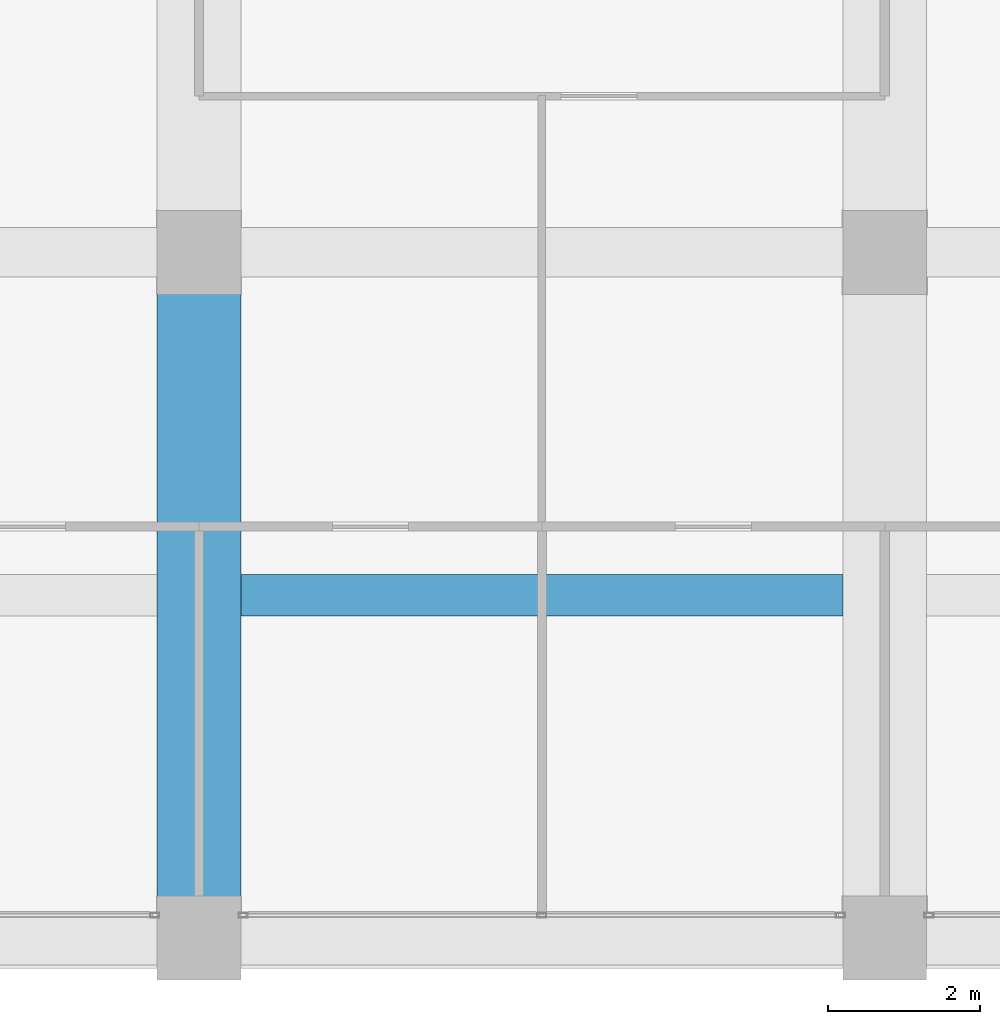
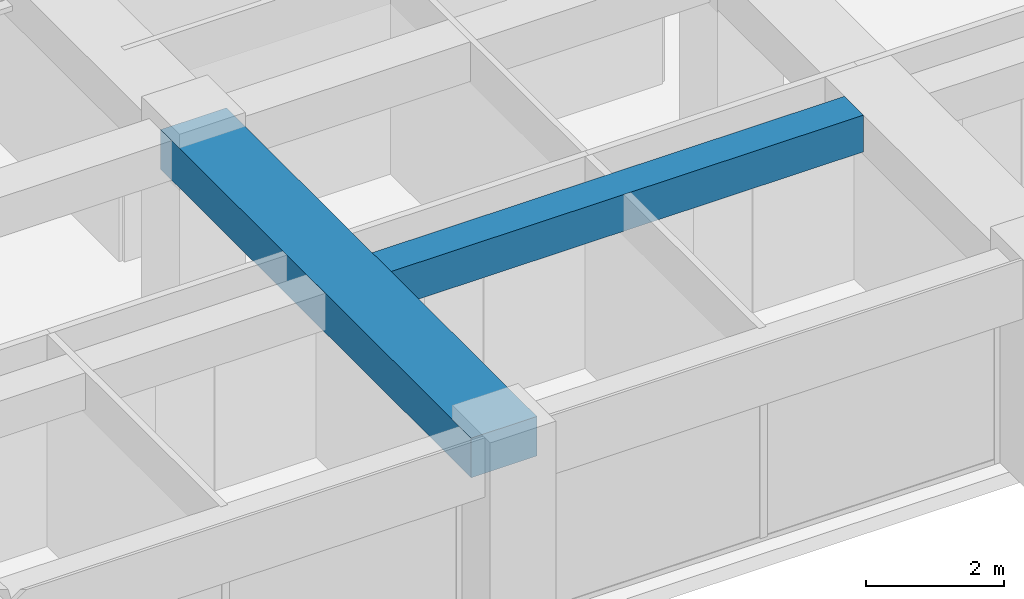
# One storey, part 10 of 44: 2 beams.
"""IFC4 building model written with IfcOpenShell, lengths in metres."""

from ifc_helpers import new_model, si_unit, direction, frame, origin, origin_2d, place, context, subcontext, project, spatial, rectangle, extrude, material, material_profile, profile_set, type_object, element, save


model = new_model("IFC4")

# Units and contexts
model_context = context("Model", 3, precision=1e-05, world=origin(), true_north=direction((0.0, 1.0)))
body_context = subcontext(model_context, "Body", "Model", "MODEL_VIEW")
ifc_project = project(units=[si_unit("LENGTHUNIT", "METRE"), si_unit("AREAUNIT", "SQUARE_METRE"), si_unit("VOLUMEUNIT", "CUBIC_METRE"), si_unit("PLANEANGLEUNIT", "RADIAN"), si_unit("MASSUNIT", "GRAM", prefix="KILO")], contexts=[model_context])

# Site, building, storey
site_placement = place(None, origin())
site = spatial("IfcSite", under=ifc_project, at=site_placement, CompositionType="ELEMENT")
building_placement = place(site_placement, origin())
building = spatial("IfcBuilding", under=site, at=building_placement, Name="Zorevar Civic Tower", CompositionType="ELEMENT")
storey_placement = place(building_placement, frame((0.0, 0.0, 295.39990234375)))
storey = spatial("IfcBuildingStorey", under=building, at=storey_placement, Name="L72", CompositionType="ELEMENT", Elevation=295.39990234375)

# Beams
ifc_material_1 = material(Name="Concrete C50/60", Category="concrete")
ifc_material_profile_1 = material_profile(ifc_material_1, rectangle(XDim=1.10009765625, YDim=0.699951171875, at=origin_2d()), Name="RC 1100x700")
ifc_profile_set_1 = profile_set([ifc_material_profile_1], Name="Concrete C50/60")
beam_type_1 = type_object("IfcBeamType", Name="Beam RC 1100x700", PredefinedType="BEAM", material=ifc_profile_set_1)
beam_1_placement = place(storey_placement, frame((27.0, 0.0, 3.400146484375), z_axis=(0.0, 1.0, 0.0), x_axis=(-1.0, 0.0, 0.0)))
element("IfcBeam", 1, at=beam_1_placement, inside=storey, type_object=beam_type_1, Name="Girder L73", PredefinedType="BEAM", context=body_context, shape_type="SweptSolid", body=[
    extrude(rectangle(XDim=1.10009765625, YDim=0.699951171875, at=origin_2d()), origin(), (0.0, 0.0, 1.0), 9.0),
])
ifc_material_2 = material(Name="Concrete C50/60", Category="concrete")
ifc_material_profile_2 = material_profile(ifc_material_2, rectangle(XDim=0.550048828125, YDim=0.64990234375, at=origin_2d()), Name="RC 550x650")
ifc_profile_set_2 = profile_set([ifc_material_profile_2], Name="Concrete C50/60")
beam_type_2 = type_object("IfcBeamType", Name="Beam RC 550x650", PredefinedType="BEAM", material=ifc_profile_set_2)
beam_2_placement = place(storey_placement, frame((27.550048828125, 4.5, 3.425048828125), z_axis=(1.0, 0.0, 0.0), x_axis=(0.0, 1.0, 0.0)))
element("IfcBeam", 2, at=beam_2_placement, inside=storey, type_object=beam_type_2, Name="Secondary beam L73", PredefinedType="BEAM", context=body_context, shape_type="SweptSolid", body=[
    extrude(rectangle(XDim=0.550048828125, YDim=0.64990234375, at=origin_2d()), origin(), (0.0, 0.0, 1.0), 7.89990234375),
])

save(model, "model.ifc")
